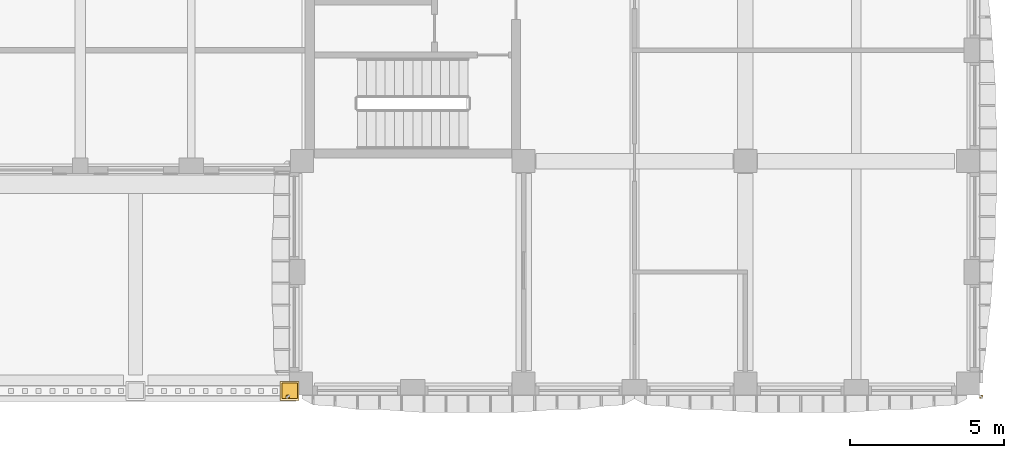
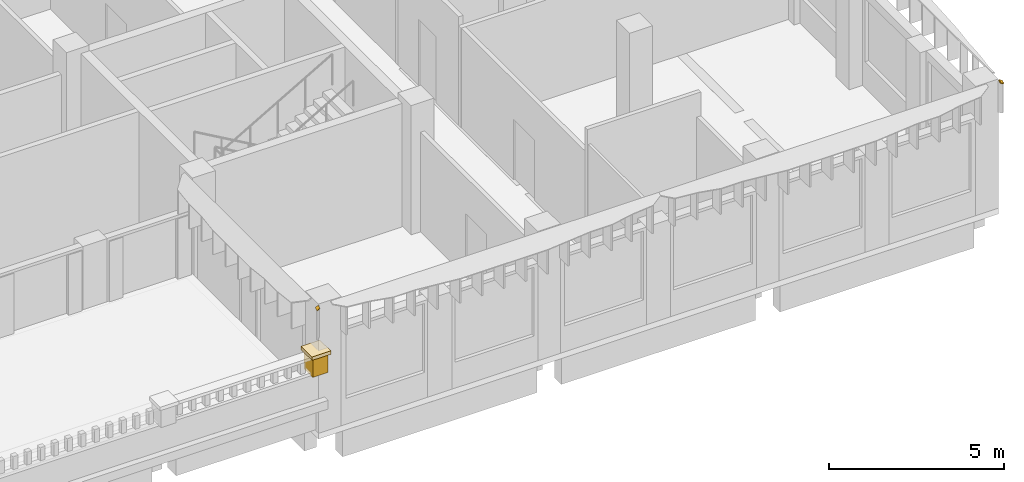
# One storey, part 56 of 58: 2 coverings, 2 shading devices.
"""IFC4 building model written with IfcOpenShell, lengths in metres."""

from ifc_helpers import new_model, si_unit, direction, frame, origin, origin_2d, place, context, subcontext, project, spatial, polyline, rectangle, outline, extrude, material, layer, layer_set, type_object, element, save


model = new_model("IFC4")

# Units and contexts
model_context = context("Model", 3, precision=1e-05, world=origin(), true_north=direction((0.0, 1.0)))
body_context = subcontext(model_context, "Body", "Model", "MODEL_VIEW")
ifc_project = project(units=[si_unit("LENGTHUNIT", "METRE"), si_unit("AREAUNIT", "SQUARE_METRE"), si_unit("VOLUMEUNIT", "CUBIC_METRE"), si_unit("PLANEANGLEUNIT", "RADIAN"), si_unit("MASSUNIT", "GRAM", prefix="KILO")], contexts=[model_context])

# Site, building, storey
site_placement = place(None, origin())
site = spatial("IfcSite", under=ifc_project, at=site_placement, CompositionType="ELEMENT")
building_placement = place(site_placement, origin())
building = spatial("IfcBuilding", under=site, at=building_placement, Name="Ussher Court Research Institute", CompositionType="ELEMENT")
storey_placement = place(building_placement, frame((0.0, 0.0, 9.89990234375)))
storey = spatial("IfcBuildingStorey", under=building, at=storey_placement, Name="L02", CompositionType="ELEMENT", Elevation=9.89990234375)

# Coverings
ifc_material_1 = material(Name="Limestone cornice", Category="masonry")
covering_type_1 = type_object("IfcCoveringType", Name="Balustrade pier 500x650", PredefinedType="CLADDING", material=ifc_material_1)
covering_1_placement = place(storey_placement, frame((81.800048828125, 3.739990234375, 2.10009765625), z_axis=(0.0, 0.0, 1.0), x_axis=(1.0, 0.0, 0.0)))
element("IfcCovering", 1, at=covering_1_placement, inside=storey, type_object=covering_type_1, Name="Balustrade pier CC31", PredefinedType="CLADDING", context=body_context, shape_type="SweptSolid", body=[
    extrude(rectangle(XDim=0.5, YDim=0.5, at=origin_2d()), origin(), (0.0, 0.0, 1.0), 0.64990234375),
])
ifc_material_2 = material(Name="Limestone cornice", Category="masonry")
covering_type_2 = type_object("IfcCoveringType", Name="Balustrade pier cap 620x120", PredefinedType="CLADDING", material=ifc_material_2)
covering_2_placement = place(storey_placement, frame((81.800048828125, 3.739990234375, 2.75), z_axis=(0.0, 0.0, 1.0), x_axis=(1.0, 0.0, 0.0)))
element("IfcCovering", 2, at=covering_2_placement, inside=storey, type_object=covering_type_2, Name="Balustrade pier cap CC32", PredefinedType="CLADDING", context=body_context, shape_type="SweptSolid", body=[
    extrude(rectangle(XDim=0.6201171875, YDim=0.6201171875, at=origin_2d()), origin(), (0.0, 0.0, 1.0), 0.1201171875),
])

# Shading devices
ifc_material_3 = material(Name="Bronze anodised aluminium", Category="aluminium")
ifc_layer = layer(ifc_material_3, 0.0400390625)
ifc_layer_set = layer_set([ifc_layer], Name="Bronze anodised aluminium")
shading_device_type = type_object("IfcShadingDeviceType", Name="Brim visor sheet 40 mm canted 26 deg wet", PredefinedType="USERDEFINED", material=ifc_layer_set)
for number, where, z_axis, x_axis, name in (
    (3, (104.216064453125, 3.583984375, 4.48291015625), (0.400847757571, -0.400847757571, 0.823797396512), (-0.000362285341, -0.899269394429, -0.437395044544), "Brim visor sheet BR1 L02"),
    (4, (81.783935546875, 3.583984375, 4.48291015625), (-0.400847757571, -0.400847757571, 0.823797396512), (-0.899269394429, 0.000362285341, -0.437395044544), "Brim visor sheet BR1 L02"),
):
    element("IfcShadingDevice", number, at=place(storey_placement, frame(where, z_axis=z_axis, x_axis=x_axis)), inside=storey, type_object=shading_device_type, Name=name, ObjectType="BRIM", PredefinedType="USERDEFINED", context=body_context, shape_type="SweptSolid", body=[
        extrude(outline(polyline([(0.0, 0.0), (0.11126515272958254, 0.0), (0.13258606872546647, 0.10931209908468126), (0.021214130096336967, 0.10922405822982874), (0.0, 0.0)])), origin(), (0.0, 0.0, -1.0), 0.0400390625),
    ])

save(model, "model.ifc")
